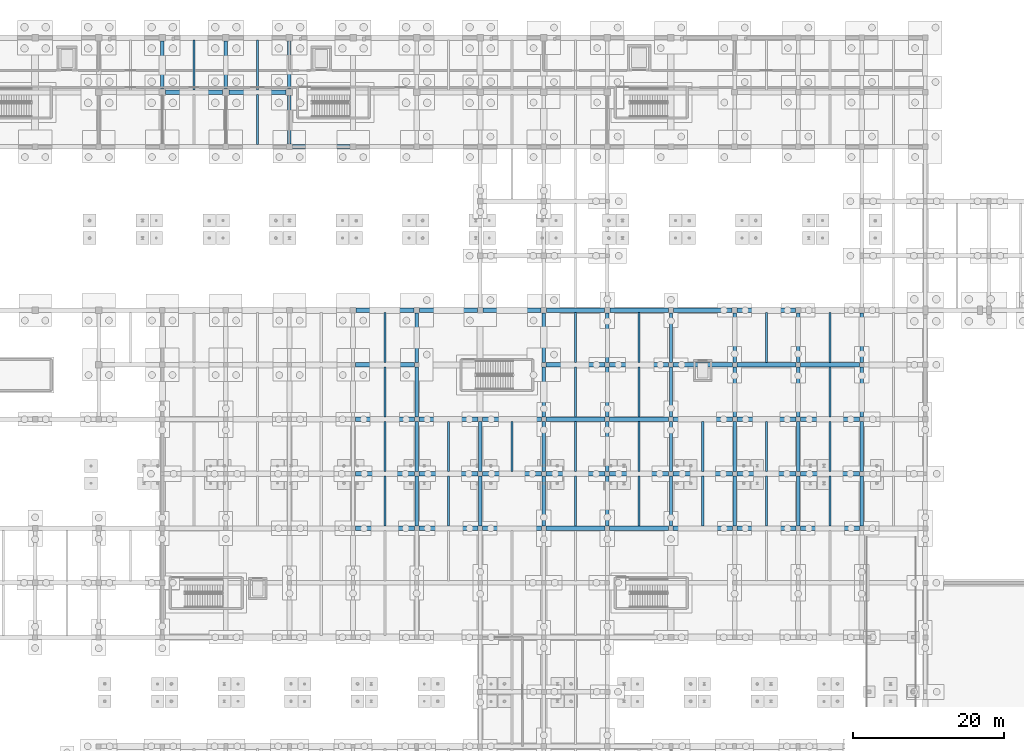
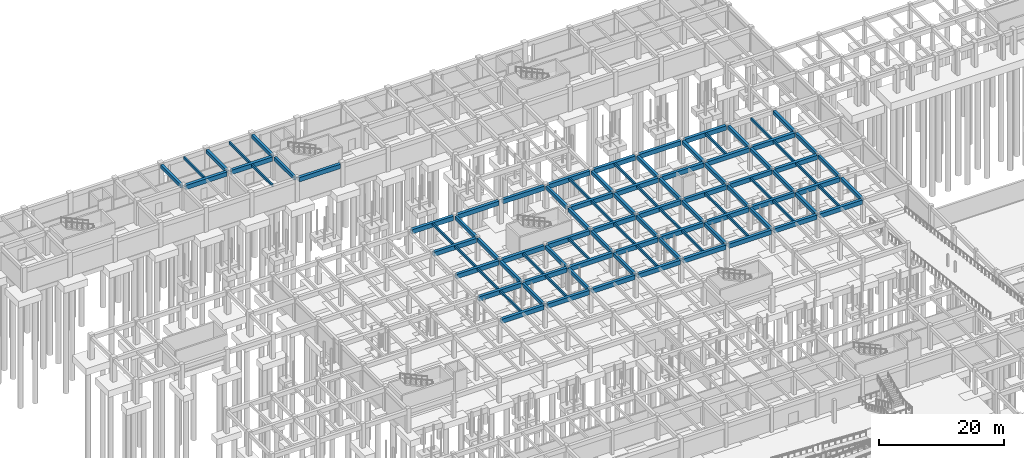
# One storey, part 54 of 80: 101 beams.
"""IFC4 building model written with IfcOpenShell, lengths in metres."""

from ifc_helpers import new_model, si_unit, direction, frame, origin, origin_2d, place, context, subcontext, project, spatial, rectangle, extrude, material, material_profile, profile_set, type_object, element, save


model = new_model("IFC4")

# Units and contexts
model_context = context("Model", 3, precision=1e-05, world=origin(), true_north=direction((0.0, 1.0)))
body_context = subcontext(model_context, "Body", "Model", "MODEL_VIEW")
ifc_project = project(units=[si_unit("LENGTHUNIT", "METRE"), si_unit("AREAUNIT", "SQUARE_METRE"), si_unit("VOLUMEUNIT", "CUBIC_METRE"), si_unit("PLANEANGLEUNIT", "RADIAN"), si_unit("MASSUNIT", "GRAM", prefix="KILO")], contexts=[model_context])

# Site, building, storey
site_placement = place(None, origin())
site = spatial("IfcSite", under=ifc_project, at=site_placement, CompositionType="ELEMENT")
building_placement = place(site_placement, origin())
building = spatial("IfcBuilding", under=site, at=building_placement, Name="Malvenik Polytechnic", CompositionType="ELEMENT")
storey_placement = place(building_placement, frame((0.0, 0.0, -4.800048828125)))
storey = spatial("IfcBuildingStorey", under=building, at=storey_placement, Name="B1", CompositionType="ELEMENT", Elevation=-4.800048828125)

# Beams
ifc_material_1 = material(Name="Concrete C35/45", Category="concrete")
ifc_material_profile_1 = material_profile(ifc_material_1, rectangle(XDim=0.550048828125, YDim=0.85009765625, at=origin_2d()), Name="RC BM 550x850")
ifc_profile_set_1 = profile_set([ifc_material_profile_1], Name="Concrete C35/45")
beam_type_1 = type_object("IfcBeamType", Name="STR-BM-B-01", PredefinedType="BEAM", material=ifc_profile_set_1)
beam_1_placement = place(storey_placement, frame((59.097900390625, 64.800048828125, 4.074951171875), z_axis=(1.0, 0.0, 0.0), x_axis=(0.0, 1.0, 0.0)))
element("IfcBeam", 1, at=beam_1_placement, inside=storey, type_object=beam_type_1, Name="Primary Beam B-01 B1 #85", PredefinedType="BEAM", context=body_context, shape_type="SweptSolid", body=[
    extrude(rectangle(XDim=0.550048828125, YDim=0.85009765625, at=origin_2d()), origin(), (0.0, 0.0, 1.0), 7.80419921875),
])
for number, where, z_axis, x_axis, name in (
    (2, (67.498046875, 64.800048828125, 4.074951171875), (1.0, 0.0, 0.0), (0.0, 1.0, 0.0), "Primary Beam B-01 B1 #86"),
    (3, (75.89794921875, 64.800048828125, 4.074951171875), (1.0, 0.0, 0.0), (0.0, 1.0, 0.0), "Primary Beam B-01 B1 #87"),
    (4, (84.298095703125, 64.800048828125, 4.074951171875), (1.0, 0.0, 0.0), (0.0, 1.0, 0.0), "Primary Beam B-01 B1 #88"),
    (5, (92.697998046875, 64.800048828125, 4.074951171875), (1.0, 0.0, 0.0), (0.0, 1.0, 0.0), "Primary Beam B-01 B1 #89"),
):
    element("IfcBeam", number, at=place(storey_placement, frame(where, z_axis=z_axis, x_axis=x_axis)), inside=storey, type_object=beam_type_1, Name=name, PredefinedType="BEAM", context=body_context, shape_type="SweptSolid", body=[
        extrude(rectangle(XDim=0.550048828125, YDim=0.85009765625, at=origin_2d()), origin(), (0.0, 0.0, 1.0), 7.803955078125),
    ])
beam_2_placement = place(storey_placement, frame((101.097900390625, 64.800048828125, 4.074951171875), z_axis=(1.0, 0.0, 0.0), x_axis=(0.0, 1.0, 0.0)))
element("IfcBeam", 6, at=beam_2_placement, inside=storey, type_object=beam_type_1, Name="Primary Beam B-01 B1 #90", PredefinedType="BEAM", context=body_context, shape_type="SweptSolid", body=[
    extrude(rectangle(XDim=0.550048828125, YDim=0.85009765625, at=origin_2d()), origin(), (0.0, 0.0, 1.0), 7.80419921875),
])
for number, where, z_axis, x_axis, name in (
    (7, (109.498046875, 64.800048828125, 4.074951171875), (1.0, 0.0, 0.0), (0.0, 1.0, 0.0), "Primary Beam B-01 B1 #91"),
    (8, (117.89794921875, 64.800048828125, 4.074951171875), (1.0, 0.0, 0.0), (0.0, 1.0, 0.0), "Primary Beam B-01 B1 #92"),
):
    element("IfcBeam", number, at=place(storey_placement, frame(where, z_axis=z_axis, x_axis=x_axis)), inside=storey, type_object=beam_type_1, Name=name, PredefinedType="BEAM", context=body_context, shape_type="SweptSolid", body=[
        extrude(rectangle(XDim=0.550048828125, YDim=0.85009765625, at=origin_2d()), origin(), (0.0, 0.0, 1.0), 7.803955078125),
    ])
beam_3_placement = place(storey_placement, frame((59.097900390625, 72.0, 4.074951171875), z_axis=(1.0, 0.0, 0.0), x_axis=(0.0, 1.0, 0.0)))
element("IfcBeam", 9, at=beam_3_placement, inside=storey, type_object=beam_type_1, Name="Primary Beam B-01 B1 #97", PredefinedType="BEAM", context=body_context, shape_type="SweptSolid", body=[
    extrude(rectangle(XDim=0.550048828125, YDim=0.85009765625, at=origin_2d()), origin(), (0.0, 0.0, 1.0), 7.80419921875),
])
for number, where, z_axis, x_axis, name in (
    (10, (67.498046875, 72.0, 4.074951171875), (1.0, 0.0, 0.0), (0.0, 1.0, 0.0), "Primary Beam B-01 B1 #98"),
    (11, (75.89794921875, 72.0, 4.074951171875), (1.0, 0.0, 0.0), (0.0, 1.0, 0.0), "Primary Beam B-01 B1 #99"),
    (12, (84.298095703125, 72.0, 4.074951171875), (1.0, 0.0, 0.0), (0.0, 1.0, 0.0), "Primary Beam B-01 B1 #100"),
    (13, (92.697998046875, 72.0, 4.074951171875), (1.0, 0.0, 0.0), (0.0, 1.0, 0.0), "Primary Beam B-01 B1 #101"),
):
    element("IfcBeam", number, at=place(storey_placement, frame(where, z_axis=z_axis, x_axis=x_axis)), inside=storey, type_object=beam_type_1, Name=name, PredefinedType="BEAM", context=body_context, shape_type="SweptSolid", body=[
        extrude(rectangle(XDim=0.550048828125, YDim=0.85009765625, at=origin_2d()), origin(), (0.0, 0.0, 1.0), 7.803955078125),
    ])
beam_4_placement = place(storey_placement, frame((101.097900390625, 72.0, 4.074951171875), z_axis=(1.0, 0.0, 0.0), x_axis=(0.0, 1.0, 0.0)))
element("IfcBeam", 14, at=beam_4_placement, inside=storey, type_object=beam_type_1, Name="Primary Beam B-01 B1 #102", PredefinedType="BEAM", context=body_context, shape_type="SweptSolid", body=[
    extrude(rectangle(XDim=0.550048828125, YDim=0.85009765625, at=origin_2d()), origin(), (0.0, 0.0, 1.0), 7.80419921875),
])
for number, where, z_axis, x_axis, name in (
    (15, (109.498046875, 72.0, 4.074951171875), (1.0, 0.0, 0.0), (0.0, 1.0, 0.0), "Primary Beam B-01 B1 #103"),
    (16, (117.89794921875, 72.0, 4.074951171875), (1.0, 0.0, 0.0), (0.0, 1.0, 0.0), "Primary Beam B-01 B1 #104"),
):
    element("IfcBeam", number, at=place(storey_placement, frame(where, z_axis=z_axis, x_axis=x_axis)), inside=storey, type_object=beam_type_1, Name=name, PredefinedType="BEAM", context=body_context, shape_type="SweptSolid", body=[
        extrude(rectangle(XDim=0.550048828125, YDim=0.85009765625, at=origin_2d()), origin(), (0.0, 0.0, 1.0), 7.803955078125),
    ])
beam_5_placement = place(storey_placement, frame((59.097900390625, 79.199951171875, 4.074951171875), z_axis=(1.0, 0.0, 0.0), x_axis=(0.0, 1.0, 0.0)))
element("IfcBeam", 17, at=beam_5_placement, inside=storey, type_object=beam_type_1, Name="Primary Beam B-01 B1 #113", PredefinedType="BEAM", context=body_context, shape_type="SweptSolid", body=[
    extrude(rectangle(XDim=0.550048828125, YDim=0.85009765625, at=origin_2d()), origin(), (0.0, 0.0, 1.0), 7.80419921875),
])
for number, where, z_axis, x_axis, name in (
    (18, (67.498046875, 79.199951171875, 4.074951171875), (1.0, 0.0, 0.0), (0.0, 1.0, 0.0), "Primary Beam B-01 B1 #114"),
    (19, (75.89794921875, 79.199951171875, 4.074951171875), (1.0, 0.0, 0.0), (0.0, 1.0, 0.0), "Primary Beam B-01 B1 #115"),
    (20, (84.298095703125, 79.199951171875, 4.074951171875), (1.0, 0.0, 0.0), (0.0, 1.0, 0.0), "Primary Beam B-01 B1 #116"),
    (21, (92.697998046875, 79.199951171875, 4.074951171875), (1.0, 0.0, 0.0), (0.0, 1.0, 0.0), "Primary Beam B-01 B1 #117"),
):
    element("IfcBeam", number, at=place(storey_placement, frame(where, z_axis=z_axis, x_axis=x_axis)), inside=storey, type_object=beam_type_1, Name=name, PredefinedType="BEAM", context=body_context, shape_type="SweptSolid", body=[
        extrude(rectangle(XDim=0.550048828125, YDim=0.85009765625, at=origin_2d()), origin(), (0.0, 0.0, 1.0), 7.803955078125),
    ])
beam_6_placement = place(storey_placement, frame((101.097900390625, 79.199951171875, 4.074951171875), z_axis=(1.0, 0.0, 0.0), x_axis=(0.0, 1.0, 0.0)))
element("IfcBeam", 22, at=beam_6_placement, inside=storey, type_object=beam_type_1, Name="Primary Beam B-01 B1 #118", PredefinedType="BEAM", context=body_context, shape_type="SweptSolid", body=[
    extrude(rectangle(XDim=0.550048828125, YDim=0.85009765625, at=origin_2d()), origin(), (0.0, 0.0, 1.0), 7.80419921875),
])
for number, where, z_axis, x_axis, name in (
    (23, (109.498046875, 79.199951171875, 4.074951171875), (1.0, 0.0, 0.0), (0.0, 1.0, 0.0), "Primary Beam B-01 B1 #119"),
    (24, (117.89794921875, 79.199951171875, 4.074951171875), (1.0, 0.0, 0.0), (0.0, 1.0, 0.0), "Primary Beam B-01 B1 #120"),
):
    element("IfcBeam", number, at=place(storey_placement, frame(where, z_axis=z_axis, x_axis=x_axis)), inside=storey, type_object=beam_type_1, Name=name, PredefinedType="BEAM", context=body_context, shape_type="SweptSolid", body=[
        extrude(rectangle(XDim=0.550048828125, YDim=0.85009765625, at=origin_2d()), origin(), (0.0, 0.0, 1.0), 7.803955078125),
    ])
beam_7_placement = place(storey_placement, frame((59.097900390625, 86.39990234375, 4.074951171875), z_axis=(1.0, 0.0, 0.0), x_axis=(0.0, 1.0, 0.0)))
element("IfcBeam", 25, at=beam_7_placement, inside=storey, type_object=beam_type_1, Name="Primary Beam B-01 B1 #127", PredefinedType="BEAM", context=body_context, shape_type="SweptSolid", body=[
    extrude(rectangle(XDim=0.550048828125, YDim=0.85009765625, at=origin_2d()), origin(), (0.0, 0.0, 1.0), 7.80419921875),
])
for number, where, z_axis, x_axis, name in (
    (26, (84.298095703125, 86.39990234375, 4.074951171875), (1.0, 0.0, 0.0), (0.0, 1.0, 0.0), "Primary Beam B-01 B1 #128"),
    (27, (92.697998046875, 86.39990234375, 4.074951171875), (1.0, 0.0, 0.0), (0.0, 1.0, 0.0), "Primary Beam B-01 B1 #129"),
):
    element("IfcBeam", number, at=place(storey_placement, frame(where, z_axis=z_axis, x_axis=x_axis)), inside=storey, type_object=beam_type_1, Name=name, PredefinedType="BEAM", context=body_context, shape_type="SweptSolid", body=[
        extrude(rectangle(XDim=0.550048828125, YDim=0.85009765625, at=origin_2d()), origin(), (0.0, 0.0, 1.0), 7.803955078125),
    ])
beam_8_placement = place(storey_placement, frame((101.097900390625, 86.39990234375, 4.074951171875), z_axis=(1.0, 0.0, 0.0), x_axis=(0.0, 1.0, 0.0)))
element("IfcBeam", 28, at=beam_8_placement, inside=storey, type_object=beam_type_1, Name="Primary Beam B-01 B1 #130", PredefinedType="BEAM", context=body_context, shape_type="SweptSolid", body=[
    extrude(rectangle(XDim=0.550048828125, YDim=0.85009765625, at=origin_2d()), origin(), (0.0, 0.0, 1.0), 7.80419921875),
])
for number, where, z_axis, x_axis, name in (
    (29, (109.498046875, 86.39990234375, 4.074951171875), (1.0, 0.0, 0.0), (0.0, 1.0, 0.0), "Primary Beam B-01 B1 #131"),
    (30, (117.89794921875, 86.39990234375, 4.074951171875), (1.0, 0.0, 0.0), (0.0, 1.0, 0.0), "Primary Beam B-01 B1 #132"),
):
    element("IfcBeam", number, at=place(storey_placement, frame(where, z_axis=z_axis, x_axis=x_axis)), inside=storey, type_object=beam_type_1, Name=name, PredefinedType="BEAM", context=body_context, shape_type="SweptSolid", body=[
        extrude(rectangle(XDim=0.550048828125, YDim=0.85009765625, at=origin_2d()), origin(), (0.0, 0.0, 1.0), 7.803955078125),
    ])
beam_9_placement = place(storey_placement, frame((59.173095703125, 93.60009765625, 4.074951171875), z_axis=(1.0, 0.0, 0.0), x_axis=(0.0, 1.0, 0.0)))
element("IfcBeam", 31, at=beam_9_placement, inside=storey, type_object=beam_type_1, Name="Primary Beam B-01 B1 #141", PredefinedType="BEAM", context=body_context, shape_type="SweptSolid", body=[
    extrude(rectangle(XDim=0.550048828125, YDim=0.85009765625, at=origin_2d()), origin(), (0.0, 0.0, 1.0), 7.65380859375),
])
for number, where, z_axis, x_axis, name in (
    (32, (67.572998046875, 93.60009765625, 4.074951171875), (1.0, 0.0, 0.0), (0.0, 1.0, 0.0), "Primary Beam B-01 B1 #142"),
    (33, (75.972900390625, 93.60009765625, 4.074951171875), (1.0, 0.0, 0.0), (0.0, 1.0, 0.0), "Primary Beam B-01 B1 #143"),
):
    element("IfcBeam", number, at=place(storey_placement, frame(where, z_axis=z_axis, x_axis=x_axis)), inside=storey, type_object=beam_type_1, Name=name, PredefinedType="BEAM", context=body_context, shape_type="SweptSolid", body=[
        extrude(rectangle(XDim=0.550048828125, YDim=0.85009765625, at=origin_2d()), origin(), (0.0, 0.0, 1.0), 7.654052734375),
    ])
beam_10_placement = place(storey_placement, frame((84.373046875, 93.60009765625, 4.074951171875), z_axis=(1.0, 0.0, 0.0), x_axis=(0.0, 1.0, 0.0)))
element("IfcBeam", 34, at=beam_10_placement, inside=storey, type_object=beam_type_1, Name="Primary Beam B-01 B1 #144", PredefinedType="BEAM", context=body_context, shape_type="SweptSolid", body=[
    extrude(rectangle(XDim=0.550048828125, YDim=0.85009765625, at=origin_2d()), origin(), (0.0, 0.0, 1.0), 7.678955078125),
])
beam_11_placement = place(storey_placement, frame((92.748046875, 93.60009765625, 4.074951171875), z_axis=(1.0, 0.0, 0.0), x_axis=(0.0, 1.0, 0.0)))
element("IfcBeam", 35, at=beam_11_placement, inside=storey, type_object=beam_type_1, Name="Primary Beam B-01 B1 #145", PredefinedType="BEAM", context=body_context, shape_type="SweptSolid", body=[
    extrude(rectangle(XDim=0.550048828125, YDim=0.85009765625, at=origin_2d()), origin(), (0.0, 0.0, 1.0), 7.703857421875),
])
beam_12_placement = place(storey_placement, frame((101.14794921875, 93.60009765625, 4.074951171875), z_axis=(1.0, 0.0, 0.0), x_axis=(0.0, 1.0, 0.0)))
element("IfcBeam", 36, at=beam_12_placement, inside=storey, type_object=beam_type_1, Name="Primary Beam B-01 B1 #146", PredefinedType="BEAM", context=body_context, shape_type="SweptSolid", body=[
    extrude(rectangle(XDim=0.550048828125, YDim=0.85009765625, at=origin_2d()), origin(), (0.0, 0.0, 1.0), 7.7041015625),
])
beam_13_placement = place(storey_placement, frame((109.548095703125, 93.60009765625, 4.074951171875), z_axis=(1.0, 0.0, 0.0), x_axis=(0.0, 1.0, 0.0)))
element("IfcBeam", 37, at=beam_13_placement, inside=storey, type_object=beam_type_1, Name="Primary Beam B-01 B1 #147", PredefinedType="BEAM", context=body_context, shape_type="SweptSolid", body=[
    extrude(rectangle(XDim=0.550048828125, YDim=0.85009765625, at=origin_2d()), origin(), (0.0, 0.0, 1.0), 7.703857421875),
])
beam_14_placement = place(storey_placement, frame((50.77294921875, 115.199951171875, 4.074951171875), z_axis=(1.0, 0.0, 0.0), x_axis=(0.0, 1.0, 0.0)))
element("IfcBeam", 38, at=beam_14_placement, inside=storey, type_object=beam_type_1, Name="Primary Beam B-01 B1 #180", PredefinedType="BEAM", context=body_context, shape_type="SweptSolid", body=[
    extrude(rectangle(XDim=0.550048828125, YDim=0.85009765625, at=origin_2d()), origin(), (0.0, 0.0, 1.0), 7.654052734375),
])
for number, where, z_axis, x_axis, name in (
    (39, (34.02294921875, 122.39990234375, 4.074951171875), (1.0, 0.0, 0.0), (0.0, 1.0, 0.0), "Primary Beam B-01 B1 #192"),
    (40, (42.423095703125, 122.39990234375, 4.074951171875), (1.0, 0.0, 0.0), (0.0, 1.0, 0.0), "Primary Beam B-01 B1 #193"),
):
    element("IfcBeam", number, at=place(storey_placement, frame(where, z_axis=z_axis, x_axis=x_axis)), inside=storey, type_object=beam_type_1, Name=name, PredefinedType="BEAM", context=body_context, shape_type="SweptSolid", body=[
        extrude(rectangle(XDim=0.550048828125, YDim=0.85009765625, at=origin_2d()), origin(), (0.0, 0.0, 1.0), 7.553955078125),
    ])
ifc_material_profile_2 = material_profile(ifc_material_1, rectangle(XDim=0.449951171875, YDim=0.699951171875, at=origin_2d()), Name="RC BM 450x700")
ifc_profile_set_2 = profile_set([ifc_material_profile_2], Name="Concrete C35/45")
beam_type_2 = type_object("IfcBeamType", Name="STR-BM-B-04", PredefinedType="BEAM", material=ifc_profile_set_2)
for number, where, z_axis, x_axis, name in (
    (41, (33.60009765625, 122.822998046875, 4.150146484375), (0.0, 1.0, 0.0), (-1.0, 0.0, 0.0), "Transverse Beam B-04 B1 #243"),
    (42, (42.0, 122.822998046875, 4.150146484375), (0.0, 1.0, 0.0), (-1.0, 0.0, 0.0), "Transverse Beam B-04 B1 #251"),
):
    element("IfcBeam", number, at=place(storey_placement, frame(where, z_axis=z_axis, x_axis=x_axis)), inside=storey, type_object=beam_type_2, Name=name, PredefinedType="BEAM", context=body_context, shape_type="SweptSolid", body=[
        extrude(rectangle(XDim=0.449951171875, YDim=0.699951171875, at=origin_2d()), origin(), (0.0, 0.0, 1.0), 6.35400390625),
    ])
beam_15_placement = place(storey_placement, frame((50.39990234375, 115.572998046875, 4.150146484375), z_axis=(0.0, 1.0, 0.0), x_axis=(-1.0, 0.0, 0.0)))
element("IfcBeam", 43, at=beam_15_placement, inside=storey, type_object=beam_type_2, Name="Transverse Beam B-04 B1 #260", PredefinedType="BEAM", context=body_context, shape_type="SweptSolid", body=[
    extrude(rectangle(XDim=0.449951171875, YDim=0.699951171875, at=origin_2d()), origin(), (0.0, 0.0, 1.0), 6.404052734375),
])
beam_16_placement = place(storey_placement, frame((50.39990234375, 122.822998046875, 4.150146484375), z_axis=(0.0, 1.0, 0.0), x_axis=(-1.0, 0.0, 0.0)))
element("IfcBeam", 44, at=beam_16_placement, inside=storey, type_object=beam_type_2, Name="Transverse Beam B-04 B1 #261", PredefinedType="BEAM", context=body_context, shape_type="SweptSolid", body=[
    extrude(rectangle(XDim=0.449951171875, YDim=0.699951171875, at=origin_2d()), origin(), (0.0, 0.0, 1.0), 6.35400390625),
])
for number, where, z_axis, x_axis, name in (
    (45, (67.199951171875, 65.097900390625, 4.150146484375), (0.0, 1.0, 0.0), (-1.0, 0.0, 0.0), "Transverse Beam B-04 B1 #273"),
    (46, (67.199951171875, 72.298095703125, 4.150146484375), (0.0, 1.0, 0.0), (-1.0, 0.0, 0.0), "Transverse Beam B-04 B1 #274"),
    (47, (67.199951171875, 79.498046875, 4.150146484375), (0.0, 1.0, 0.0), (-1.0, 0.0, 0.0), "Transverse Beam B-04 B1 #275"),
):
    element("IfcBeam", number, at=place(storey_placement, frame(where, z_axis=z_axis, x_axis=x_axis)), inside=storey, type_object=beam_type_2, Name=name, PredefinedType="BEAM", context=body_context, shape_type="SweptSolid", body=[
        extrude(rectangle(XDim=0.449951171875, YDim=0.699951171875, at=origin_2d()), origin(), (0.0, 0.0, 1.0), 6.60400390625),
    ])
beam_17_placement = place(storey_placement, frame((67.199951171875, 86.697998046875, 4.150146484375), z_axis=(0.0, 1.0, 0.0), x_axis=(-1.0, 0.0, 0.0)))
element("IfcBeam", 48, at=beam_17_placement, inside=storey, type_object=beam_type_2, Name="Transverse Beam B-04 B1 #276", PredefinedType="BEAM", context=body_context, shape_type="SweptSolid", body=[
    extrude(rectangle(XDim=0.449951171875, YDim=0.699951171875, at=origin_2d()), origin(), (0.0, 0.0, 1.0), 6.529052734375),
])
for number, where, z_axis, x_axis, name in (
    (49, (75.60009765625, 65.097900390625, 4.150146484375), (0.0, 1.0, 0.0), (-1.0, 0.0, 0.0), "Transverse Beam B-04 B1 #285"),
    (50, (75.60009765625, 72.298095703125, 4.150146484375), (0.0, 1.0, 0.0), (-1.0, 0.0, 0.0), "Transverse Beam B-04 B1 #286"),
    (51, (84.0, 65.097900390625, 4.150146484375), (0.0, 1.0, 0.0), (-1.0, 0.0, 0.0), "Transverse Beam B-04 B1 #298"),
    (52, (84.0, 72.298095703125, 4.150146484375), (0.0, 1.0, 0.0), (-1.0, 0.0, 0.0), "Transverse Beam B-04 B1 #299"),
    (53, (84.0, 79.498046875, 4.150146484375), (0.0, 1.0, 0.0), (-1.0, 0.0, 0.0), "Transverse Beam B-04 B1 #300"),
):
    element("IfcBeam", number, at=place(storey_placement, frame(where, z_axis=z_axis, x_axis=x_axis)), inside=storey, type_object=beam_type_2, Name=name, PredefinedType="BEAM", context=body_context, shape_type="SweptSolid", body=[
        extrude(rectangle(XDim=0.449951171875, YDim=0.699951171875, at=origin_2d()), origin(), (0.0, 0.0, 1.0), 6.60400390625),
    ])
beam_18_placement = place(storey_placement, frame((84.0, 86.697998046875, 4.150146484375), z_axis=(0.0, 1.0, 0.0), x_axis=(-1.0, 0.0, 0.0)))
element("IfcBeam", 54, at=beam_18_placement, inside=storey, type_object=beam_type_2, Name="Transverse Beam B-04 B1 #301", PredefinedType="BEAM", context=body_context, shape_type="SweptSolid", body=[
    extrude(rectangle(XDim=0.449951171875, YDim=0.699951171875, at=origin_2d()), origin(), (0.0, 0.0, 1.0), 6.529052734375),
])
for number, where, z_axis, x_axis, name in (
    (55, (92.39990234375, 65.097900390625, 4.150146484375), (0.0, 1.0, 0.0), (-1.0, 0.0, 0.0), "Transverse Beam B-04 B1 #313"),
    (56, (92.39990234375, 72.298095703125, 4.150146484375), (0.0, 1.0, 0.0), (-1.0, 0.0, 0.0), "Transverse Beam B-04 B1 #314"),
    (57, (92.39990234375, 79.498046875, 4.150146484375), (0.0, 1.0, 0.0), (-1.0, 0.0, 0.0), "Transverse Beam B-04 B1 #315"),
):
    element("IfcBeam", number, at=place(storey_placement, frame(where, z_axis=z_axis, x_axis=x_axis)), inside=storey, type_object=beam_type_2, Name=name, PredefinedType="BEAM", context=body_context, shape_type="SweptSolid", body=[
        extrude(rectangle(XDim=0.449951171875, YDim=0.699951171875, at=origin_2d()), origin(), (0.0, 0.0, 1.0), 6.60400390625),
    ])
beam_19_placement = place(storey_placement, frame((92.39990234375, 86.697998046875, 4.150146484375), z_axis=(0.0, 1.0, 0.0), x_axis=(-1.0, 0.0, 0.0)))
element("IfcBeam", 58, at=beam_19_placement, inside=storey, type_object=beam_type_2, Name="Transverse Beam B-04 B1 #316", PredefinedType="BEAM", context=body_context, shape_type="SweptSolid", body=[
    extrude(rectangle(XDim=0.449951171875, YDim=0.699951171875, at=origin_2d()), origin(), (0.0, 0.0, 1.0), 6.553955078125),
])
for number, where, z_axis, x_axis, name in (
    (59, (100.800048828125, 65.097900390625, 4.150146484375), (0.0, 1.0, 0.0), (-1.0, 0.0, 0.0), "Transverse Beam B-04 B1 #324"),
    (60, (100.800048828125, 72.298095703125, 4.150146484375), (0.0, 1.0, 0.0), (-1.0, 0.0, 0.0), "Transverse Beam B-04 B1 #325"),
    (61, (100.800048828125, 79.498046875, 4.150146484375), (0.0, 1.0, 0.0), (-1.0, 0.0, 0.0), "Transverse Beam B-04 B1 #326"),
):
    element("IfcBeam", number, at=place(storey_placement, frame(where, z_axis=z_axis, x_axis=x_axis)), inside=storey, type_object=beam_type_2, Name=name, PredefinedType="BEAM", context=body_context, shape_type="SweptSolid", body=[
        extrude(rectangle(XDim=0.449951171875, YDim=0.699951171875, at=origin_2d()), origin(), (0.0, 0.0, 1.0), 6.60400390625),
    ])
beam_20_placement = place(storey_placement, frame((100.800048828125, 86.697998046875, 4.150146484375), z_axis=(0.0, 1.0, 0.0), x_axis=(-1.0, 0.0, 0.0)))
element("IfcBeam", 62, at=beam_20_placement, inside=storey, type_object=beam_type_2, Name="Transverse Beam B-04 B1 #327", PredefinedType="BEAM", context=body_context, shape_type="SweptSolid", body=[
    extrude(rectangle(XDim=0.449951171875, YDim=0.699951171875, at=origin_2d()), origin(), (0.0, 0.0, 1.0), 6.553955078125),
])
for number, where, z_axis, x_axis, name in (
    (63, (109.199951171875, 65.097900390625, 4.150146484375), (0.0, 1.0, 0.0), (-1.0, 0.0, 0.0), "Transverse Beam B-04 B1 #330"),
    (64, (109.199951171875, 72.298095703125, 4.150146484375), (0.0, 1.0, 0.0), (-1.0, 0.0, 0.0), "Transverse Beam B-04 B1 #331"),
    (65, (109.199951171875, 79.498046875, 4.150146484375), (0.0, 1.0, 0.0), (-1.0, 0.0, 0.0), "Transverse Beam B-04 B1 #332"),
):
    element("IfcBeam", number, at=place(storey_placement, frame(where, z_axis=z_axis, x_axis=x_axis)), inside=storey, type_object=beam_type_2, Name=name, PredefinedType="BEAM", context=body_context, shape_type="SweptSolid", body=[
        extrude(rectangle(XDim=0.449951171875, YDim=0.699951171875, at=origin_2d()), origin(), (0.0, 0.0, 1.0), 6.60400390625),
    ])
beam_21_placement = place(storey_placement, frame((109.199951171875, 86.697998046875, 4.150146484375), z_axis=(0.0, 1.0, 0.0), x_axis=(-1.0, 0.0, 0.0)))
element("IfcBeam", 66, at=beam_21_placement, inside=storey, type_object=beam_type_2, Name="Transverse Beam B-04 B1 #333", PredefinedType="BEAM", context=body_context, shape_type="SweptSolid", body=[
    extrude(rectangle(XDim=0.449951171875, YDim=0.699951171875, at=origin_2d()), origin(), (0.0, 0.0, 1.0), 6.553955078125),
])
for number, where, z_axis, x_axis, name in (
    (67, (117.60009765625, 65.097900390625, 4.150146484375), (0.0, 1.0, 0.0), (-1.0, 0.0, 0.0), "Transverse Beam B-04 B1 #343"),
    (68, (117.60009765625, 72.298095703125, 4.150146484375), (0.0, 1.0, 0.0), (-1.0, 0.0, 0.0), "Transverse Beam B-04 B1 #344"),
    (69, (117.60009765625, 79.498046875, 4.150146484375), (0.0, 1.0, 0.0), (-1.0, 0.0, 0.0), "Transverse Beam B-04 B1 #345"),
):
    element("IfcBeam", number, at=place(storey_placement, frame(where, z_axis=z_axis, x_axis=x_axis)), inside=storey, type_object=beam_type_2, Name=name, PredefinedType="BEAM", context=body_context, shape_type="SweptSolid", body=[
        extrude(rectangle(XDim=0.449951171875, YDim=0.699951171875, at=origin_2d()), origin(), (0.0, 0.0, 1.0), 6.60400390625),
    ])
beam_22_placement = place(storey_placement, frame((117.60009765625, 86.697998046875, 4.150146484375), z_axis=(0.0, 1.0, 0.0), x_axis=(-1.0, 0.0, 0.0)))
element("IfcBeam", 70, at=beam_22_placement, inside=storey, type_object=beam_type_2, Name="Transverse Beam B-04 B1 #346", PredefinedType="BEAM", context=body_context, shape_type="SweptSolid", body=[
    extrude(rectangle(XDim=0.449951171875, YDim=0.699951171875, at=origin_2d()), origin(), (0.0, 0.0, 1.0), 6.553955078125),
])
for number, where, z_axis, x_axis, name in (
    (71, (126.0, 65.097900390625, 4.150146484375), (0.0, 1.0, 0.0), (-1.0, 0.0, 0.0), "Transverse Beam B-04 B1 #356"),
    (72, (126.0, 72.298095703125, 4.150146484375), (0.0, 1.0, 0.0), (-1.0, 0.0, 0.0), "Transverse Beam B-04 B1 #357"),
    (73, (126.0, 79.498046875, 4.150146484375), (0.0, 1.0, 0.0), (-1.0, 0.0, 0.0), "Transverse Beam B-04 B1 #358"),
):
    element("IfcBeam", number, at=place(storey_placement, frame(where, z_axis=z_axis, x_axis=x_axis)), inside=storey, type_object=beam_type_2, Name=name, PredefinedType="BEAM", context=body_context, shape_type="SweptSolid", body=[
        extrude(rectangle(XDim=0.449951171875, YDim=0.699951171875, at=origin_2d()), origin(), (0.0, 0.0, 1.0), 6.60400390625),
    ])
beam_23_placement = place(storey_placement, frame((126.0, 86.697998046875, 4.150146484375), z_axis=(0.0, 1.0, 0.0), x_axis=(-1.0, 0.0, 0.0)))
element("IfcBeam", 74, at=beam_23_placement, inside=storey, type_object=beam_type_2, Name="Transverse Beam B-04 B1 #359", PredefinedType="BEAM", context=body_context, shape_type="SweptSolid", body=[
    extrude(rectangle(XDim=0.449951171875, YDim=0.699951171875, at=origin_2d()), origin(), (0.0, 0.0, 1.0), 6.553955078125),
])
ifc_material_2 = material(Name="Concrete C30/37", Category="concrete")
ifc_material_profile_3 = material_profile(ifc_material_2, rectangle(XDim=0.280029296875, YDim=0.47998046875, at=origin_2d()), Name="RC JST 280x480")
ifc_profile_set_3 = profile_set([ifc_material_profile_3], Name="Concrete C30/37")
beam_type_3 = type_object("IfcBeamType", Name="STR-BM-J-01", PredefinedType="JOIST", material=ifc_profile_set_3)
beam_24_placement = place(storey_placement, frame((37.800048828125, 122.673095703125, 4.260009765625), z_axis=(0.0, 1.0, 0.0), x_axis=(-1.0, 0.0, 0.0)))
element("IfcBeam", 75, at=beam_24_placement, inside=storey, type_object=beam_type_3, Name="Secondary Rib Joist J-01 B1 #425", PredefinedType="JOIST", context=body_context, shape_type="SweptSolid", body=[
    extrude(rectangle(XDim=0.280029296875, YDim=0.47998046875, at=origin_2d()), origin(), (0.0, 0.0, 1.0), 6.65380859375),
])
beam_25_placement = place(storey_placement, frame((46.199951171875, 115.472900390625, 4.260009765625), z_axis=(0.0, 1.0, 0.0), x_axis=(-1.0, 0.0, 0.0)))
element("IfcBeam", 76, at=beam_25_placement, inside=storey, type_object=beam_type_3, Name="Secondary Rib Joist J-01 B1 #432", PredefinedType="JOIST", context=body_context, shape_type="SweptSolid", body=[
    extrude(rectangle(XDim=0.280029296875, YDim=0.47998046875, at=origin_2d()), origin(), (0.0, 0.0, 1.0), 6.654052734375),
])
beam_26_placement = place(storey_placement, frame((46.199951171875, 122.673095703125, 4.260009765625), z_axis=(0.0, 1.0, 0.0), x_axis=(-1.0, 0.0, 0.0)))
element("IfcBeam", 77, at=beam_26_placement, inside=storey, type_object=beam_type_3, Name="Secondary Rib Joist J-01 B1 #433", PredefinedType="JOIST", context=body_context, shape_type="SweptSolid", body=[
    extrude(rectangle(XDim=0.280029296875, YDim=0.47998046875, at=origin_2d()), origin(), (0.0, 0.0, 1.0), 6.65380859375),
])
for number, where, z_axis, x_axis, name in (
    (78, (63.0, 65.072998046875, 4.260009765625), (0.0, 1.0, 0.0), (-1.0, 0.0, 0.0), "Secondary Rib Joist J-01 B1 #444"),
    (79, (63.0, 72.27294921875, 4.260009765625), (0.0, 1.0, 0.0), (-1.0, 0.0, 0.0), "Secondary Rib Joist J-01 B1 #445"),
    (80, (63.0, 79.472900390625, 4.260009765625), (0.0, 1.0, 0.0), (-1.0, 0.0, 0.0), "Secondary Rib Joist J-01 B1 #446"),
):
    element("IfcBeam", number, at=place(storey_placement, frame(where, z_axis=z_axis, x_axis=x_axis)), inside=storey, type_object=beam_type_3, Name=name, PredefinedType="JOIST", context=body_context, shape_type="SweptSolid", body=[
        extrude(rectangle(XDim=0.280029296875, YDim=0.47998046875, at=origin_2d()), origin(), (0.0, 0.0, 1.0), 6.654052734375),
    ])
beam_27_placement = place(storey_placement, frame((63.0, 86.673095703125, 4.260009765625), z_axis=(0.0, 1.0, 0.0), x_axis=(-1.0, 0.0, 0.0)))
element("IfcBeam", 81, at=beam_27_placement, inside=storey, type_object=beam_type_3, Name="Secondary Rib Joist J-01 B1 #447", PredefinedType="JOIST", context=body_context, shape_type="SweptSolid", body=[
    extrude(rectangle(XDim=0.280029296875, YDim=0.47998046875, at=origin_2d()), origin(), (0.0, 0.0, 1.0), 6.65380859375),
])
for number, where, z_axis, x_axis, name in (
    (82, (71.39990234375, 65.072998046875, 4.260009765625), (0.0, 1.0, 0.0), (-1.0, 0.0, 0.0), "Secondary Rib Joist J-01 B1 #451"),
    (83, (71.39990234375, 72.27294921875, 4.260009765625), (0.0, 1.0, 0.0), (-1.0, 0.0, 0.0), "Secondary Rib Joist J-01 B1 #452"),
    (84, (79.800048828125, 72.27294921875, 4.260009765625), (0.0, 1.0, 0.0), (-1.0, 0.0, 0.0), "Secondary Rib Joist J-01 B1 #460"),
    (85, (88.199951171875, 65.072998046875, 4.260009765625), (0.0, 1.0, 0.0), (-1.0, 0.0, 0.0), "Secondary Rib Joist J-01 B1 #470"),
    (86, (88.199951171875, 72.27294921875, 4.260009765625), (0.0, 1.0, 0.0), (-1.0, 0.0, 0.0), "Secondary Rib Joist J-01 B1 #471"),
    (87, (88.199951171875, 79.472900390625, 4.260009765625), (0.0, 1.0, 0.0), (-1.0, 0.0, 0.0), "Secondary Rib Joist J-01 B1 #472"),
):
    element("IfcBeam", number, at=place(storey_placement, frame(where, z_axis=z_axis, x_axis=x_axis)), inside=storey, type_object=beam_type_3, Name=name, PredefinedType="JOIST", context=body_context, shape_type="SweptSolid", body=[
        extrude(rectangle(XDim=0.280029296875, YDim=0.47998046875, at=origin_2d()), origin(), (0.0, 0.0, 1.0), 6.654052734375),
    ])
beam_28_placement = place(storey_placement, frame((88.199951171875, 86.673095703125, 4.260009765625), z_axis=(0.0, 1.0, 0.0), x_axis=(-1.0, 0.0, 0.0)))
element("IfcBeam", 88, at=beam_28_placement, inside=storey, type_object=beam_type_3, Name="Secondary Rib Joist J-01 B1 #473", PredefinedType="JOIST", context=body_context, shape_type="SweptSolid", body=[
    extrude(rectangle(XDim=0.280029296875, YDim=0.47998046875, at=origin_2d()), origin(), (0.0, 0.0, 1.0), 6.65380859375),
])
for number, where, z_axis, x_axis, name in (
    (89, (96.60009765625, 65.072998046875, 4.260009765625), (0.0, 1.0, 0.0), (-1.0, 0.0, 0.0), "Secondary Rib Joist J-01 B1 #481"),
    (90, (96.60009765625, 72.27294921875, 4.260009765625), (0.0, 1.0, 0.0), (-1.0, 0.0, 0.0), "Secondary Rib Joist J-01 B1 #482"),
    (91, (96.60009765625, 79.472900390625, 4.260009765625), (0.0, 1.0, 0.0), (-1.0, 0.0, 0.0), "Secondary Rib Joist J-01 B1 #483"),
):
    element("IfcBeam", number, at=place(storey_placement, frame(where, z_axis=z_axis, x_axis=x_axis)), inside=storey, type_object=beam_type_3, Name=name, PredefinedType="JOIST", context=body_context, shape_type="SweptSolid", body=[
        extrude(rectangle(XDim=0.280029296875, YDim=0.47998046875, at=origin_2d()), origin(), (0.0, 0.0, 1.0), 6.654052734375),
    ])
beam_29_placement = place(storey_placement, frame((96.60009765625, 86.673095703125, 4.260009765625), z_axis=(0.0, 1.0, 0.0), x_axis=(-1.0, 0.0, 0.0)))
element("IfcBeam", 92, at=beam_29_placement, inside=storey, type_object=beam_type_3, Name="Secondary Rib Joist J-01 B1 #484", PredefinedType="JOIST", context=body_context, shape_type="SweptSolid", body=[
    extrude(rectangle(XDim=0.280029296875, YDim=0.47998046875, at=origin_2d()), origin(), (0.0, 0.0, 1.0), 6.65380859375),
])
for number, where, z_axis, x_axis, name in (
    (93, (105.0, 65.072998046875, 4.260009765625), (0.0, 1.0, 0.0), (-1.0, 0.0, 0.0), "Secondary Rib Joist J-01 B1 #485"),
    (94, (105.0, 72.27294921875, 4.260009765625), (0.0, 1.0, 0.0), (-1.0, 0.0, 0.0), "Secondary Rib Joist J-01 B1 #486"),
    (95, (113.39990234375, 65.072998046875, 4.260009765625), (0.0, 1.0, 0.0), (-1.0, 0.0, 0.0), "Secondary Rib Joist J-01 B1 #488"),
    (96, (113.39990234375, 72.27294921875, 4.260009765625), (0.0, 1.0, 0.0), (-1.0, 0.0, 0.0), "Secondary Rib Joist J-01 B1 #489"),
):
    element("IfcBeam", number, at=place(storey_placement, frame(where, z_axis=z_axis, x_axis=x_axis)), inside=storey, type_object=beam_type_3, Name=name, PredefinedType="JOIST", context=body_context, shape_type="SweptSolid", body=[
        extrude(rectangle(XDim=0.280029296875, YDim=0.47998046875, at=origin_2d()), origin(), (0.0, 0.0, 1.0), 6.654052734375),
    ])
beam_30_placement = place(storey_placement, frame((113.39990234375, 86.673095703125, 4.260009765625), z_axis=(0.0, 1.0, 0.0), x_axis=(-1.0, 0.0, 0.0)))
element("IfcBeam", 97, at=beam_30_placement, inside=storey, type_object=beam_type_3, Name="Secondary Rib Joist J-01 B1 #490", PredefinedType="JOIST", context=body_context, shape_type="SweptSolid", body=[
    extrude(rectangle(XDim=0.280029296875, YDim=0.47998046875, at=origin_2d()), origin(), (0.0, 0.0, 1.0), 6.65380859375),
])
for number, where, z_axis, x_axis, name in (
    (98, (121.800048828125, 65.072998046875, 4.260009765625), (0.0, 1.0, 0.0), (-1.0, 0.0, 0.0), "Secondary Rib Joist J-01 B1 #498"),
    (99, (121.800048828125, 72.27294921875, 4.260009765625), (0.0, 1.0, 0.0), (-1.0, 0.0, 0.0), "Secondary Rib Joist J-01 B1 #499"),
    (100, (121.800048828125, 79.472900390625, 4.260009765625), (0.0, 1.0, 0.0), (-1.0, 0.0, 0.0), "Secondary Rib Joist J-01 B1 #500"),
):
    element("IfcBeam", number, at=place(storey_placement, frame(where, z_axis=z_axis, x_axis=x_axis)), inside=storey, type_object=beam_type_3, Name=name, PredefinedType="JOIST", context=body_context, shape_type="SweptSolid", body=[
        extrude(rectangle(XDim=0.280029296875, YDim=0.47998046875, at=origin_2d()), origin(), (0.0, 0.0, 1.0), 6.654052734375),
    ])
beam_31_placement = place(storey_placement, frame((121.800048828125, 86.673095703125, 4.260009765625), z_axis=(0.0, 1.0, 0.0), x_axis=(-1.0, 0.0, 0.0)))
element("IfcBeam", 101, at=beam_31_placement, inside=storey, type_object=beam_type_3, Name="Secondary Rib Joist J-01 B1 #501", PredefinedType="JOIST", context=body_context, shape_type="SweptSolid", body=[
    extrude(rectangle(XDim=0.280029296875, YDim=0.47998046875, at=origin_2d()), origin(), (0.0, 0.0, 1.0), 6.65380859375),
])

save(model, "model.ifc")
